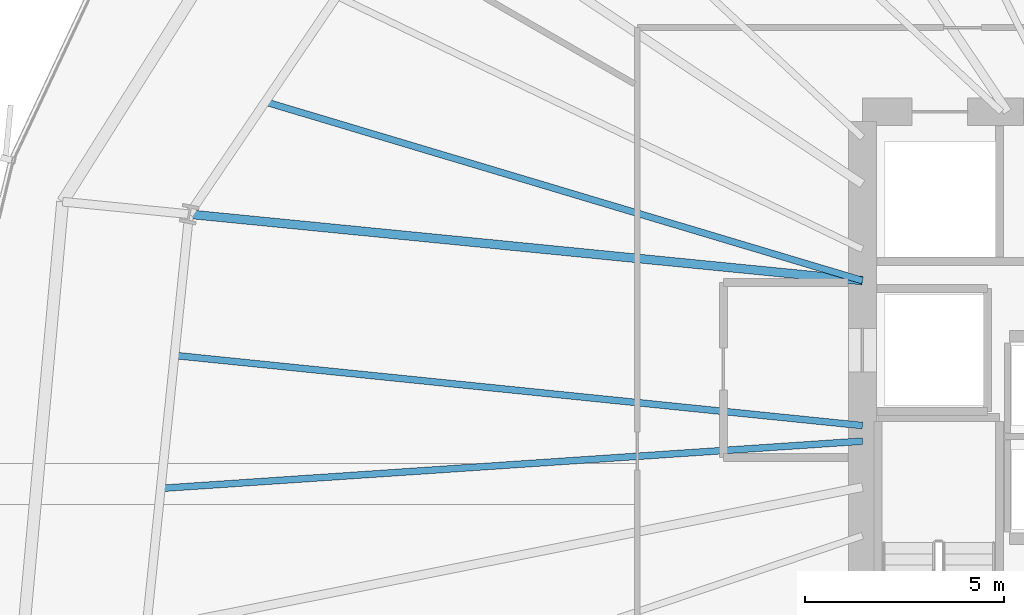
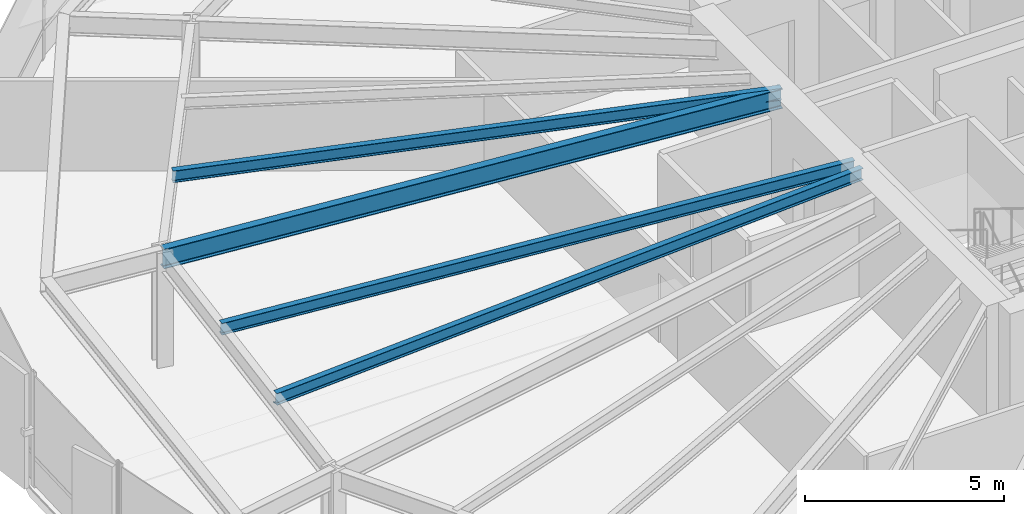
# One storey, part 10 of 37: 4 beams.
"""IFC4 building model written with IfcOpenShell, lengths in metres."""

from ifc_helpers import new_model, si_unit, direction, frame, origin, origin_2d, place, context, subcontext, project, spatial, i_section, extrude, source, transform, mapped, material, material_profile, profile_set, type_object, element, save


model = new_model("IFC4")

# Units and contexts
model_context = context("Model", 3, precision=1e-05, world=origin(), true_north=direction((0.0, 1.0)))
body_context = subcontext(model_context, "Body", "Model", "MODEL_VIEW")
ifc_project = project(units=[si_unit("LENGTHUNIT", "METRE"), si_unit("AREAUNIT", "SQUARE_METRE"), si_unit("VOLUMEUNIT", "CUBIC_METRE"), si_unit("PLANEANGLEUNIT", "RADIAN"), si_unit("MASSUNIT", "GRAM", prefix="KILO"), si_unit("THERMODYNAMICTEMPERATUREUNIT", "KELVIN")], contexts=[model_context])

# Site, building, storey
site_placement = place(None, origin())
site = spatial("IfcSite", under=ifc_project, at=site_placement, CompositionType="ELEMENT")
building_placement = place(site_placement, origin())
building = spatial("IfcBuilding", under=site, at=building_placement, Name="Kethvar Cultural Tower", CompositionType="ELEMENT")
storey_placement = place(building_placement, frame((0.0, 0.0, 48.60009765625)))
storey = spatial("IfcBuildingStorey", under=building, at=storey_placement, Name="L11", CompositionType="ELEMENT", Elevation=48.60009765625)

# Beams
ifc_material = material(Name="Steel S355J2", Category="steel")
ifc_material_profile_1 = material_profile(ifc_material, i_section(OverallWidth=0.219970703125, OverallDepth=0.60009765625, WebThickness=0.011962890625, FlangeThickness=0.01904296875, FilletRadius=0.02392578125, at=origin_2d()), Name="Steel S355J2 — IPE600")
ifc_profile_set_1 = profile_set([ifc_material_profile_1], Name="Steel S355J2 — IPE600")
beam_type_1 = type_object("IfcBeamType", Name="BM-IPE600", PredefinedType="BEAM", material=ifc_profile_set_1)
shared_shape_1 = source(origin(), body_context, "Body", "SweptSolid", [
    extrude(i_section(OverallWidth=0.219970703125, OverallDepth=0.60009765625, WebThickness=0.011962890625, FlangeThickness=0.01904296875, FilletRadius=0.02392578125, at=origin_2d()), origin(), (0.0, 0.0, 1.0), 17.03515625),
])
beam_1_placement = place(storey_placement, frame((38.0, 31.25, 3.247802734375), z_axis=(-0.995168138859, 0.098185413375, 0.0), x_axis=(-0.098185413375, -0.995168138859, 0.0)))
element("IfcBeam", 1, at=beam_1_placement, inside=storey, type_object=beam_type_1, Name="L11 Primary Radial Beam RB-08", PredefinedType="BEAM", context=body_context, shape_type="MappedRepresentation", body=[
    mapped(shared_shape_1, transform((0.0, 0.0, 0.0), scale=1.0)),
])
ifc_material_profile_2 = material_profile(ifc_material, i_section(OverallWidth=0.169921875, OverallDepth=0.360107421875, WebThickness=0.008056640625, FlangeThickness=0.0126953125, FilletRadius=0.01806640625, at=origin_2d()), Name="Steel S355J2 — IPE360")
ifc_profile_set_2 = profile_set([ifc_material_profile_2], Name="Steel S355J2 — IPE360")
beam_type_2 = type_object("IfcBeamType", Name="BM-J360", PredefinedType="JOIST", material=ifc_profile_set_2)
shared_shape_2 = source(origin(), body_context, "Body", "SweptSolid", [
    extrude(i_section(OverallWidth=0.169921875, OverallDepth=0.360107421875, WebThickness=0.008056640625, FlangeThickness=0.0126953125, FilletRadius=0.01806640625, at=origin_2d()), origin(), (0.0, 0.0, 1.0), 15.6953125),
])
beam_2_placement = place(storey_placement, frame((38.0, 31.25, 3.367919921875), z_axis=(-0.958003344758, 0.28675702508, 0.0), x_axis=(-0.28675702508, -0.958003344758, 0.0)))
element("IfcBeam", 2, at=beam_2_placement, inside=storey, type_object=beam_type_2, Name="L11 Composite Floor Joist J-07B", PredefinedType="JOIST", context=body_context, shape_type="MappedRepresentation", body=[
    mapped(shared_shape_2, transform((0.0, 0.0, 0.0), scale=1.0)),
])
shared_shape_3 = source(origin(), body_context, "Body", "SweptSolid", [
    extrude(i_section(OverallWidth=0.169921875, OverallDepth=0.360107421875, WebThickness=0.008056640625, FlangeThickness=0.0126953125, FilletRadius=0.01806640625, at=origin_2d()), origin(), (0.0, 0.0, 1.0), 17.410400390625),
])
beam_3_placement = place(storey_placement, frame((38.0, 27.60009765625, 3.367919921875), z_axis=(-0.99484162516, 0.101440331474, 0.0), x_axis=(-0.101440331474, -0.99484162516, 0.0)))
element("IfcBeam", 3, at=beam_3_placement, inside=storey, type_object=beam_type_2, Name="L11 Composite Floor Joist J-08A", PredefinedType="JOIST", context=body_context, shape_type="MappedRepresentation", body=[
    mapped(shared_shape_3, transform((0.0, 0.0, 0.0), scale=1.0)),
])
shared_shape_4 = source(origin(), body_context, "Body", "SweptSolid", [
    extrude(i_section(OverallWidth=0.169921875, OverallDepth=0.360107421875, WebThickness=0.008056640625, FlangeThickness=0.0126953125, FilletRadius=0.01806640625, at=origin_2d()), origin(), (0.0, 0.0, 1.0), 17.70654296875),
])
beam_4_placement = place(storey_placement, frame((38.0, 27.207763671875, 3.367919921875), z_axis=(-0.997742984455, -0.067148618533, 0.0), x_axis=(0.067148618533, -0.997742984455, 0.0)))
element("IfcBeam", 4, at=beam_4_placement, inside=storey, type_object=beam_type_2, Name="L11 Composite Floor Joist J-08B", PredefinedType="JOIST", context=body_context, shape_type="MappedRepresentation", body=[
    mapped(shared_shape_4, transform((0.0, 0.0, 0.0), scale=1.0)),
])

save(model, "model.ifc")
